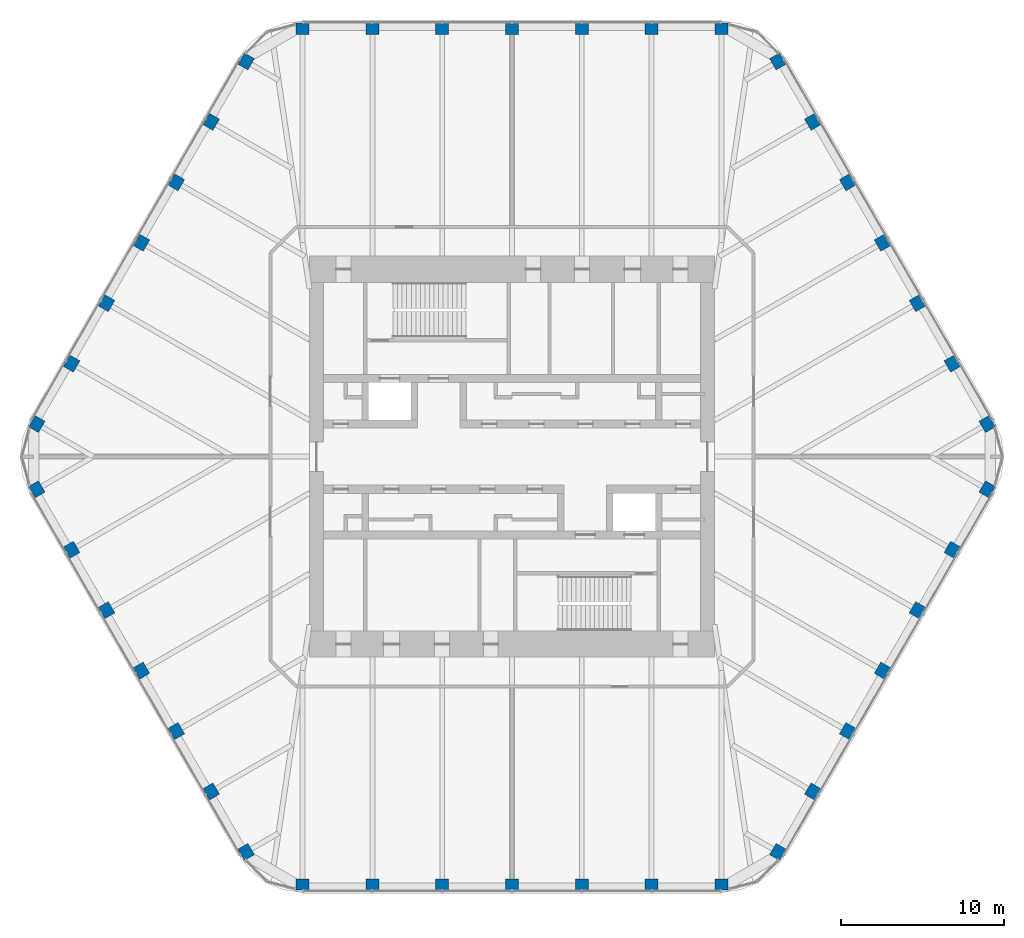
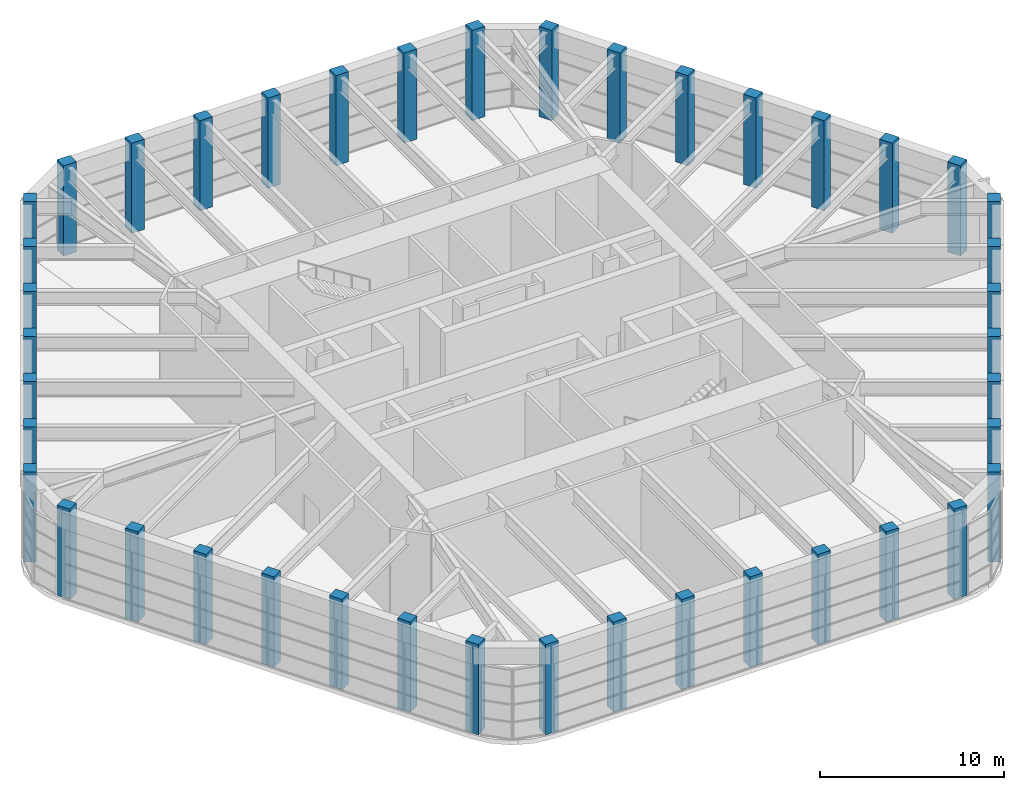
# One storey, part 1 of 16: 42 columns.
"""IFC4 building model written with IfcOpenShell, lengths in metres."""

from ifc_helpers import new_model, si_unit, direction, frame, origin, origin_2d, place, context, subcontext, project, spatial, rectangle, extrude, material, material_profile, profile_set, type_object, element, save


model = new_model("IFC4")

# Units and contexts
model_context = context("Model", 3, precision=1e-05, world=origin(), true_north=direction((0.0, 1.0)))
body_context = subcontext(model_context, "Body", "Model", "MODEL_VIEW")
ifc_project = project(units=[si_unit("LENGTHUNIT", "METRE"), si_unit("AREAUNIT", "SQUARE_METRE"), si_unit("VOLUMEUNIT", "CUBIC_METRE"), si_unit("PLANEANGLEUNIT", "RADIAN"), si_unit("MASSUNIT", "GRAM", prefix="KILO")], contexts=[model_context])

# Site, building, storey
site_placement = place(None, origin())
site = spatial("IfcSite", under=ifc_project, at=site_placement, CompositionType="ELEMENT")
building_placement = place(site_placement, origin())
building = spatial("IfcBuilding", under=site, at=building_placement, Name="Tarfa Lantern Tower", CompositionType="ELEMENT")
storey_placement = place(building_placement, frame((0.0, 0.0, 396.300048828125)))
storey = spatial("IfcBuildingStorey", under=building, at=storey_placement, Name="L90", CompositionType="ELEMENT", Elevation=396.300048828125)

# Columns
ifc_material = material(Name="Concrete C80/95", Category="concrete")
ifc_material_profile = material_profile(ifc_material, rectangle(XDim=0.800048828125, YDim=0.699951171875, at=origin_2d()), Name="RC 800x700")
ifc_profile_set = profile_set([ifc_material_profile], Name="Concrete C80/95")
column_type = type_object("IfcColumnType", Name="TC16 RC 800x700", PredefinedType="COLUMN", material=ifc_profile_set)
for number, where, z_axis, x_axis, name in (
    (1, (29.15625, 2.0, 0.0), (0.0, 0.0, 1.0), (-0.5, 0.866025403784, 0.0), "Tube column NE0"),
    (2, (27.01513671875, 5.708251953125, 0.0), (0.0, 0.0, 1.0), (-0.5, 0.866025403784, 0.0), "Tube column NE1"),
    (3, (24.874267578125, 9.416748046875, 0.0), (0.0, 0.0, 1.0), (-0.5, 0.866025403784, 0.0), "Tube column NE2"),
    (4, (22.733154296875, 13.125, 0.0), (0.0, 0.0, 1.0), (-0.5, 0.866025403784, 0.0), "Tube column NE3"),
    (5, (20.592041015625, 16.833251953125, 0.0), (0.0, 0.0, 1.0), (-0.5, 0.866025403784, 0.0), "Tube column NE4"),
    (6, (18.451171875, 20.541748046875, 0.0), (0.0, 0.0, 1.0), (-0.5, 0.866025403784, 0.0), "Tube column NE5"),
    (7, (16.31005859375, 24.25, 0.0), (0.0, 0.0, 1.0), (-0.5, 0.866025403784, 0.0), "Tube column NE6"),
    (8, (12.845947265625, 26.25, 0.0), (0.0, 0.0, 1.0), (-1.0, 0.0, 0.0), "Tube column N0"),
    (9, (8.56396484375, 26.25, 0.0), (0.0, 0.0, 1.0), (-1.0, 0.0, 0.0), "Tube column N1"),
    (10, (4.281982421875, 26.25, 0.0), (0.0, 0.0, 1.0), (-1.0, 0.0, 0.0), "Tube column N2"),
    (11, (0.0, 26.25, 0.0), (0.0, 0.0, 1.0), (-1.0, 0.0, 0.0), "Tube column N3"),
    (12, (-4.281982421875, 26.25, 0.0), (0.0, 0.0, 1.0), (-1.0, 0.0, 0.0), "Tube column N4"),
    (13, (-8.56396484375, 26.25, 0.0), (0.0, 0.0, 1.0), (-1.0, 0.0, 0.0), "Tube column N5"),
    (14, (-12.845947265625, 26.25, 0.0), (0.0, 0.0, 1.0), (-1.0, 0.0, 0.0), "Tube column N6"),
    (15, (-16.31005859375, 24.25, 0.0), (0.0, 0.0, 1.0), (-0.5, -0.866025403784, 0.0), "Tube column NW0"),
    (16, (-18.451171875, 20.541748046875, 0.0), (0.0, 0.0, 1.0), (-0.5, -0.866025403784, 0.0), "Tube column NW1"),
    (17, (-20.592041015625, 16.833251953125, 0.0), (0.0, 0.0, 1.0), (-0.5, -0.866025403784, 0.0), "Tube column NW2"),
    (18, (-22.733154296875, 13.125, 0.0), (0.0, 0.0, 1.0), (-0.5, -0.866025403784, 0.0), "Tube column NW3"),
    (19, (-24.874267578125, 9.416748046875, 0.0), (0.0, 0.0, 1.0), (-0.5, -0.866025403784, 0.0), "Tube column NW4"),
    (20, (-27.01513671875, 5.708251953125, 0.0), (0.0, 0.0, 1.0), (-0.5, -0.866025403784, 0.0), "Tube column NW5"),
    (21, (-29.15625, 2.0, 0.0), (0.0, 0.0, 1.0), (-0.5, -0.866025403784, 0.0), "Tube column NW6"),
    (22, (-29.15625, -2.0, 0.0), (0.0, 0.0, 1.0), (0.5, -0.866025403784, 0.0), "Tube column SW0"),
    (23, (-27.01513671875, -5.708251953125, 0.0), (0.0, 0.0, 1.0), (0.5, -0.866025403784, 0.0), "Tube column SW1"),
    (24, (-24.874267578125, -9.416748046875, 0.0), (0.0, 0.0, 1.0), (0.5, -0.866025403784, 0.0), "Tube column SW2"),
    (25, (-22.733154296875, -13.125, 0.0), (0.0, 0.0, 1.0), (0.5, -0.866025403784, 0.0), "Tube column SW3"),
    (26, (-20.592041015625, -16.833251953125, 0.0), (0.0, 0.0, 1.0), (0.5, -0.866025403784, 0.0), "Tube column SW4"),
    (27, (-18.451171875, -20.541748046875, 0.0), (0.0, 0.0, 1.0), (0.5, -0.866025403784, 0.0), "Tube column SW5"),
    (28, (-16.31005859375, -24.25, 0.0), (0.0, 0.0, 1.0), (0.5, -0.866025403784, 0.0), "Tube column SW6"),
    (29, (-12.845947265625, -26.25, 0.0), (0.0, 0.0, 1.0), (1.0, 0.0, 0.0), "Tube column S0"),
    (30, (-8.56396484375, -26.25, 0.0), (0.0, 0.0, 1.0), (1.0, 0.0, 0.0), "Tube column S1"),
    (31, (-4.281982421875, -26.25, 0.0), (0.0, 0.0, 1.0), (1.0, 0.0, 0.0), "Tube column S2"),
    (32, (0.0, -26.25, 0.0), (0.0, 0.0, 1.0), (1.0, 0.0, 0.0), "Tube column S3"),
    (33, (4.281982421875, -26.25, 0.0), (0.0, 0.0, 1.0), (1.0, 0.0, 0.0), "Tube column S4"),
    (34, (8.56396484375, -26.25, 0.0), (0.0, 0.0, 1.0), (1.0, 0.0, 0.0), "Tube column S5"),
    (35, (12.845947265625, -26.25, 0.0), (0.0, 0.0, 1.0), (1.0, 0.0, 0.0), "Tube column S6"),
    (36, (16.31005859375, -24.25, 0.0), (0.0, 0.0, 1.0), (0.5, 0.866025403784, 0.0), "Tube column SE0"),
    (37, (18.451171875, -20.541748046875, 0.0), (0.0, 0.0, 1.0), (0.5, 0.866025403784, 0.0), "Tube column SE1"),
    (38, (20.592041015625, -16.833251953125, 0.0), (0.0, 0.0, 1.0), (0.5, 0.866025403784, 0.0), "Tube column SE2"),
    (39, (22.733154296875, -13.125, 0.0), (0.0, 0.0, 1.0), (0.5, 0.866025403784, 0.0), "Tube column SE3"),
    (40, (24.874267578125, -9.416748046875, 0.0), (0.0, 0.0, 1.0), (0.5, 0.866025403784, 0.0), "Tube column SE4"),
    (41, (27.01513671875, -5.708251953125, 0.0), (0.0, 0.0, 1.0), (0.5, 0.866025403784, 0.0), "Tube column SE5"),
    (42, (29.15625, -2.0, 0.0), (0.0, 0.0, 1.0), (0.5, 0.866025403784, 0.0), "Tube column SE6"),
):
    element("IfcColumn", number, at=place(storey_placement, frame(where, z_axis=z_axis, x_axis=x_axis)), inside=storey, type_object=column_type, Name=name, PredefinedType="COLUMN", context=body_context, shape_type="SweptSolid", body=[
        extrude(rectangle(XDim=0.800048828125, YDim=0.699951171875, at=origin_2d()), origin(), (0.0, 0.0, 1.0), 6.0),
    ])

save(model, "model.ifc")
